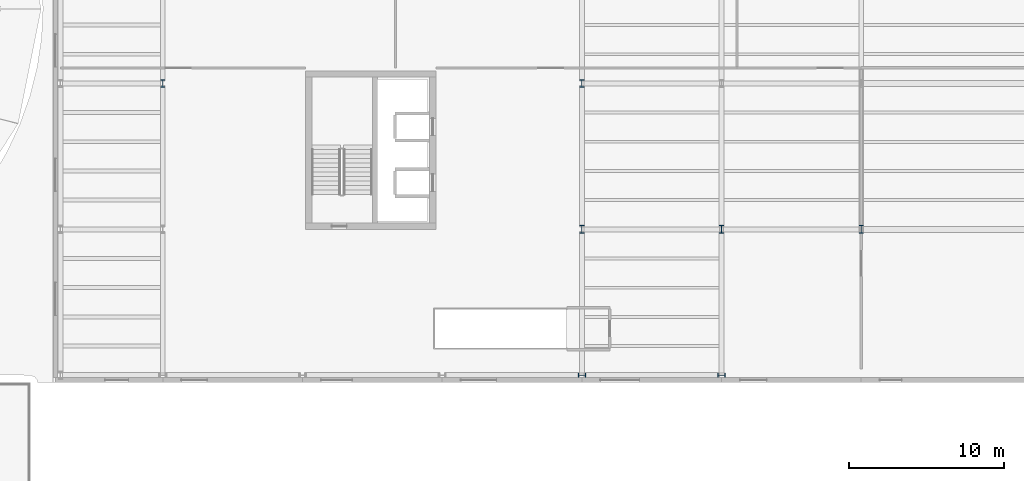
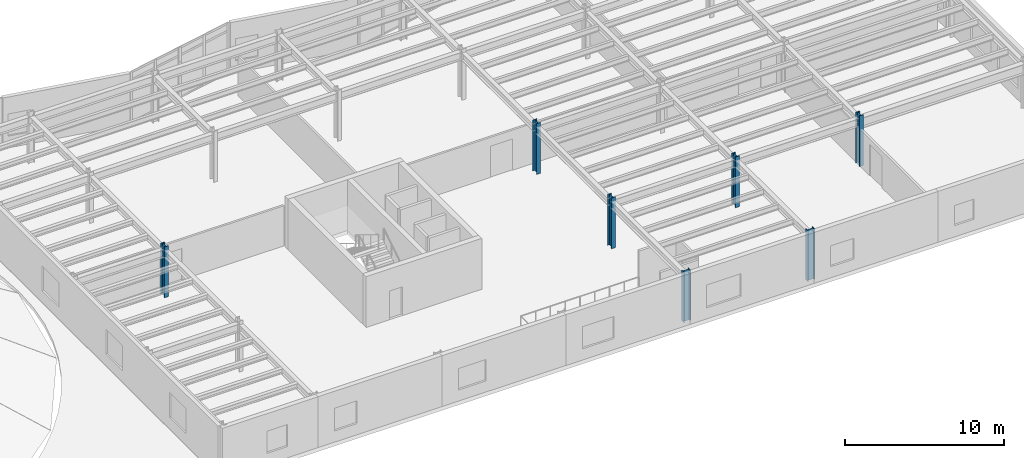
# One storey, part 7 of 59: 7 columns.
"""IFC4 building model written with IfcOpenShell, lengths in metres."""

from ifc_helpers import new_model, si_unit, direction, frame, origin, origin_2d, place, context, subcontext, project, spatial, i_section, extrude, material, material_profile, profile_set, type_object, element, save


model = new_model("IFC4")

# Units and contexts
model_context = context("Model", 3, precision=1e-05, world=origin(), true_north=direction((0.0, 1.0)))
body_context = subcontext(model_context, "Body", "Model", "MODEL_VIEW")
ifc_project = project(units=[si_unit("LENGTHUNIT", "METRE"), si_unit("AREAUNIT", "SQUARE_METRE"), si_unit("VOLUMEUNIT", "CUBIC_METRE"), si_unit("PLANEANGLEUNIT", "RADIAN"), si_unit("MASSUNIT", "GRAM", prefix="KILO")], contexts=[model_context])

# Site, building, storey
site_placement = place(None, origin())
site = spatial("IfcSite", under=ifc_project, at=site_placement, CompositionType="ELEMENT")
building_placement = place(site_placement, origin())
building = spatial("IfcBuilding", under=site, at=building_placement, Name="Sollismere Congress Hotel", CompositionType="ELEMENT")
storey_placement = place(building_placement, frame((0.0, 0.0, 15.60009765625)))
storey = spatial("IfcBuildingStorey", under=building, at=storey_placement, Name="L03", CompositionType="ELEMENT", Elevation=15.60009765625)

# Columns
ifc_material = material(Name="Steel ASTM A992 Grade 50", Category="steel")
ifc_material_profile = material_profile(ifc_material, i_section(OverallWidth=0.283935546875, OverallDepth=0.4951171875, WebThickness=0.0185546875, FlangeThickness=0.033447265625, at=origin_2d()), Name="W18X143")
ifc_profile_set = profile_set([ifc_material_profile], Name="Steel ASTM A992 Grade 50")
column_type = type_object("IfcColumnType", Name="COL-W18", PredefinedType="COLUMN", material=ifc_profile_set)
for number, where, z_axis, x_axis, name in (
    (1, (67.0, 85.60009765625, 0.0), (0.0, 0.0, 1.0), (1.0, 0.0, 0.0), "Column CL-L03-330"),
    (2, (94.0, 66.800048828125, 0.0), (0.0, 0.0, 1.0), (0.0, 1.0, 0.0), "Column CL-L03-487"),
    (3, (94.0, 76.199951171875, 0.0), (0.0, 0.0, 1.0), (1.0, 0.0, 0.0), "Column CL-L03-493"),
    (4, (94.0, 85.60009765625, 0.0), (0.0, 0.0, 1.0), (1.0, 0.0, 0.0), "Column CL-L03-499"),
    (5, (103.0, 66.800048828125, 0.0), (0.0, 0.0, 1.0), (0.0, 1.0, 0.0), "Column CL-L03-545"),
    (6, (103.0, 76.199951171875, 0.0), (0.0, 0.0, 1.0), (1.0, 0.0, 0.0), "Column CL-L03-551"),
    (7, (112.0, 76.199951171875, 0.0), (0.0, 0.0, 1.0), (1.0, 0.0, 0.0), "Column CL-L03-629"),
):
    element("IfcColumn", number, at=place(storey_placement, frame(where, z_axis=z_axis, x_axis=x_axis)), inside=storey, type_object=column_type, Name=name, PredefinedType="COLUMN", context=body_context, shape_type="SweptSolid", body=[
        extrude(i_section(OverallWidth=0.283935546875, OverallDepth=0.4951171875, WebThickness=0.0185546875, FlangeThickness=0.033447265625, at=origin_2d()), origin(), (0.0, 0.0, 1.0), 3.89990234375),
    ])

save(model, "model.ifc")
